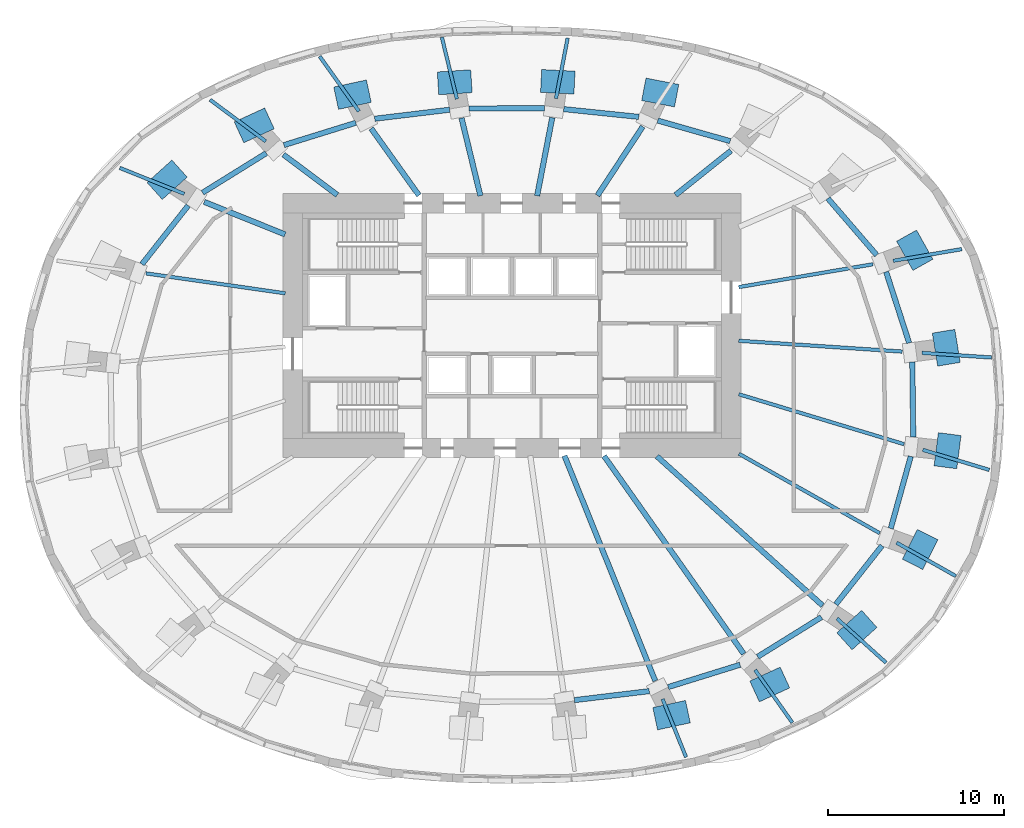
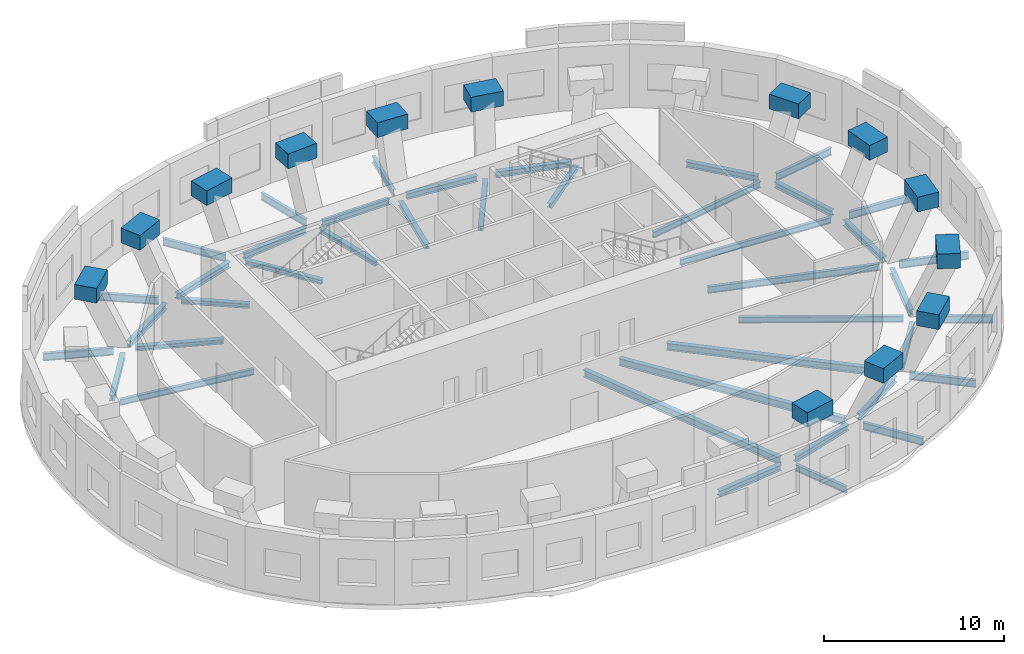
# One storey, part 2 of 9: 55 beams.
"""IFC4 building model written with IfcOpenShell, lengths in metres."""

from ifc_helpers import new_model, si_unit, direction, frame, origin, origin_2d, place, context, subcontext, project, spatial, rectangle, i_section, extrude, material, material_profile, profile_set, type_object, element, save


model = new_model("IFC4")

# Units and contexts
model_context = context("Model", 3, precision=1e-05, world=origin(), true_north=direction((0.0, 1.0)))
body_context = subcontext(model_context, "Body", "Model", "MODEL_VIEW")
ifc_project = project(units=[si_unit("LENGTHUNIT", "METRE"), si_unit("AREAUNIT", "SQUARE_METRE"), si_unit("VOLUMEUNIT", "CUBIC_METRE"), si_unit("PLANEANGLEUNIT", "RADIAN"), si_unit("MASSUNIT", "GRAM", prefix="KILO")], contexts=[model_context])

# Site, building, storey
site_placement = place(None, origin())
site = spatial("IfcSite", under=ifc_project, at=site_placement, CompositionType="ELEMENT")
building_placement = place(site_placement, origin())
building = spatial("IfcBuilding", under=site, at=building_placement, Name="Rubra Terraces Tower", CompositionType="ELEMENT")
storey_placement = place(building_placement, frame((0.0, 0.0, 169.5)))
storey = spatial("IfcBuildingStorey", under=building, at=storey_placement, Name="L41", CompositionType="ELEMENT", Elevation=169.5)

# Beams
ifc_material_1 = material(Name="Steel Q355B", Category="steel")
ifc_material_profile_1 = material_profile(ifc_material_1, i_section(OverallWidth=0.198974609375, OverallDepth=0.446044921875, WebThickness=0.008056640625, FlangeThickness=0.011962890625, at=origin_2d()), Name="HN 446x199x8x12")
ifc_profile_set_1 = profile_set([ifc_material_profile_1], Name="Steel Q355B")
beam_type_1 = type_object("IfcBeamType", Name="CANTILEVER BEAM HN 446x199x8x12", PredefinedType="BEAM", material=ifc_profile_set_1)
beam_1_placement = place(storey_placement, frame((2.498046875, 17.406982421875, -0.52294921875), z_axis=(0.189752926984, 0.98183187293, 0.0), x_axis=(-0.98183187293, 0.189752926984, 0.0)))
element("IfcBeam", 1, at=beam_1_placement, inside=storey, type_object=beam_type_1, Name="beam-L41-cant-06", PredefinedType="BEAM", context=body_context, shape_type="SweptSolid", body=[
    extrude(i_section(OverallWidth=0.198974609375, OverallDepth=0.446044921875, WebThickness=0.008056640625, FlangeThickness=0.011962890625, at=origin_2d()), origin(), (0.0, 0.0, 1.0), 3.49951171875),
])
beam_2_placement = place(storey_placement, frame((8.555908203125, -16.7099609375, -0.52294921875), z_axis=(0.374203347154, -0.927346674647, 0.0), x_axis=(0.927346674647, 0.374203347154, 0.0)))
element("IfcBeam", 2, at=beam_2_placement, inside=storey, type_object=beam_type_1, Name="beam-L41-cant-20", PredefinedType="BEAM", context=body_context, shape_type="SweptSolid", body=[
    extrude(i_section(OverallWidth=0.198974609375, OverallDepth=0.446044921875, WebThickness=0.008056640625, FlangeThickness=0.011962890625, at=origin_2d()), origin(), (0.0, 0.0, 1.0), 3.5595703125),
])
ifc_material_profile_2 = material_profile(ifc_material_1, i_section(OverallWidth=0.198974609375, OverallDepth=0.49609375, WebThickness=0.009033203125, FlangeThickness=0.013916015625, at=origin_2d()), Name="HN 496x199x9x14")
ifc_profile_set_2 = profile_set([ifc_material_profile_2], Name="Steel Q355B")
beam_type_2 = type_object("IfcBeamType", Name="CANTILEVER BEAM HN 496x199x9x14", PredefinedType="BEAM", material=ifc_profile_set_2)
beam_3_placement = place(storey_placement, frame((23.298095703125, 2.9560546875, -0.548095703125), z_axis=(0.997797994302, -0.066326183118, 0.0), x_axis=(0.066326183118, 0.997797994302, 0.0)))
element("IfcBeam", 3, at=beam_3_placement, inside=storey, type_object=beam_type_2, Name="beam-L41-cant-01", PredefinedType="BEAM", context=body_context, shape_type="SweptSolid", body=[
    extrude(i_section(OverallWidth=0.198974609375, OverallDepth=0.49609375, WebThickness=0.009033203125, FlangeThickness=0.013916015625, at=origin_2d()), origin(), (0.0, 0.0, 1.0), 3.94970703125),
])
beam_4_placement = place(storey_placement, frame((21.656982421875, 8.18798828125, -0.548095703125), z_axis=(0.985809855884, 0.167865803673, 0.0), x_axis=(-0.167865803673, 0.985809855884, 0.0)))
element("IfcBeam", 4, at=beam_4_placement, inside=storey, type_object=beam_type_2, Name="beam-L41-cant-02", PredefinedType="BEAM", context=body_context, shape_type="SweptSolid", body=[
    extrude(i_section(OverallWidth=0.198974609375, OverallDepth=0.49609375, WebThickness=0.009033203125, FlangeThickness=0.013916015625, at=origin_2d()), origin(), (0.0, 0.0, 1.0), 3.9501953125),
])
beam_5_placement = place(storey_placement, frame((-3.131103515625, 17.37890625, -0.548095703125), z_axis=(-0.236144325216, 0.971717992871, 0.0), x_axis=(-0.971717992871, -0.236144325216, 0.0)))
element("IfcBeam", 5, at=beam_5_placement, inside=storey, type_object=beam_type_2, Name="beam-L41-cant-07", PredefinedType="BEAM", context=body_context, shape_type="SweptSolid", body=[
    extrude(i_section(OverallWidth=0.198974609375, OverallDepth=0.49609375, WebThickness=0.009033203125, FlangeThickness=0.013916015625, at=origin_2d()), origin(), (0.0, 0.0, 1.0), 3.607177734375),
])
beam_6_placement = place(storey_placement, frame((-8.695068359375, 16.679931640625, -0.548095703125), z_axis=(-0.581153966888, 0.813793626647, 0.0), x_axis=(-0.813793626647, -0.581153966888, 0.0)))
element("IfcBeam", 6, at=beam_6_placement, inside=storey, type_object=beam_type_2, Name="beam-L41-cant-08", PredefinedType="BEAM", context=body_context, shape_type="SweptSolid", body=[
    extrude(i_section(OverallWidth=0.198974609375, OverallDepth=0.49609375, WebThickness=0.009033203125, FlangeThickness=0.013916015625, at=origin_2d()), origin(), (0.0, 0.0, 1.0), 3.8388671875),
])
beam_7_placement = place(storey_placement, frame((-13.989013671875, 14.971923828125, -0.548095703125), z_axis=(-0.80051150228, 0.599317390635, 0.0), x_axis=(-0.599317390635, -0.80051150228, 0.0)))
element("IfcBeam", 7, at=beam_7_placement, inside=storey, type_object=beam_type_2, Name="beam-L41-cant-09", PredefinedType="BEAM", context=body_context, shape_type="SweptSolid", body=[
    extrude(i_section(OverallWidth=0.198974609375, OverallDepth=0.49609375, WebThickness=0.009033203125, FlangeThickness=0.013916015625, at=origin_2d()), origin(), (0.0, 0.0, 1.0), 3.94970703125),
])
beam_8_placement = place(storey_placement, frame((-18.6201171875, 11.991943359375, -0.548095703125), z_axis=(-0.927758876375, 0.373180207551, 0.0), x_axis=(-0.373180207551, -0.927758876375, 0.0)))
element("IfcBeam", 8, at=beam_8_placement, inside=storey, type_object=beam_type_2, Name="beam-L41-cant-10", PredefinedType="BEAM", context=body_context, shape_type="SweptSolid", body=[
    extrude(i_section(OverallWidth=0.198974609375, OverallDepth=0.49609375, WebThickness=0.009033203125, FlangeThickness=0.013916015625, at=origin_2d()), origin(), (0.0, 0.0, 1.0), 3.9501953125),
])
beam_9_placement = place(storey_placement, frame((13.81005859375, -15.052978515625, -0.548095703125), z_axis=(0.576879173007, -0.816829492459, 0.0), x_axis=(0.816829492459, 0.576879173007, 0.0)))
element("IfcBeam", 9, at=beam_9_placement, inside=storey, type_object=beam_type_2, Name="beam-L41-cant-21", PredefinedType="BEAM", context=body_context, shape_type="SweptSolid", body=[
    extrude(i_section(OverallWidth=0.198974609375, OverallDepth=0.49609375, WebThickness=0.009033203125, FlangeThickness=0.013916015625, at=origin_2d()), origin(), (0.0, 0.0, 1.0), 3.66796875),
])
beam_10_placement = place(storey_placement, frame((18.4619140625, -12.133056640625, -0.548095703125), z_axis=(0.742899803416, -0.669402630772, 0.0), x_axis=(0.669402630772, 0.742899803416, 0.0)))
element("IfcBeam", 10, at=beam_10_placement, inside=storey, type_object=beam_type_2, Name="beam-L41-cant-22", PredefinedType="BEAM", context=body_context, shape_type="SweptSolid", body=[
    extrude(i_section(OverallWidth=0.198974609375, OverallDepth=0.49609375, WebThickness=0.009033203125, FlangeThickness=0.013916015625, at=origin_2d()), origin(), (0.0, 0.0, 1.0), 3.7568359375),
])
beam_11_placement = place(storey_placement, frame((21.846923828125, -7.824951171875, -0.548095703125), z_axis=(0.870945175064, -0.491380201099, 0.0), x_axis=(0.491380201099, 0.870945175064, 0.0)))
element("IfcBeam", 11, at=beam_11_placement, inside=storey, type_object=beam_type_2, Name="beam-L41-cant-23", PredefinedType="BEAM", context=body_context, shape_type="SweptSolid", body=[
    extrude(i_section(OverallWidth=0.198974609375, OverallDepth=0.49609375, WebThickness=0.009033203125, FlangeThickness=0.013916015625, at=origin_2d()), origin(), (0.0, 0.0, 1.0), 3.862548828125),
])
beam_12_placement = place(storey_placement, frame((23.3359375, -2.550048828125, -0.548095703125), z_axis=(0.957213418104, -0.289382916224, 0.0), x_axis=(0.289382916224, 0.957213418104, 0.0)))
element("IfcBeam", 12, at=beam_12_placement, inside=storey, type_object=beam_type_2, Name="beam-L41-cant-24", PredefinedType="BEAM", context=body_context, shape_type="SweptSolid", body=[
    extrude(i_section(OverallWidth=0.198974609375, OverallDepth=0.49609375, WebThickness=0.009033203125, FlangeThickness=0.013916015625, at=origin_2d()), origin(), (0.0, 0.0, 1.0), 3.949951171875),
])
ifc_material_profile_3 = material_profile(ifc_material_1, i_section(OverallWidth=0.300048828125, OverallDepth=0.48193359375, WebThickness=0.010986328125, FlangeThickness=0.014892578125, at=origin_2d()), Name="HM 482x300x11x15")
ifc_profile_set_3 = profile_set([ifc_material_profile_3], Name="Steel Q355B")
beam_type_3 = type_object("IfcBeamType", Name="FLOOR BEAM HM 482x300x11x15", PredefinedType="BEAM", material=ifc_profile_set_3)
beam_13_placement = place(storey_placement, frame((8.137939453125, -15.674072265625, -0.541015625), z_axis=(-0.374072995757, 0.927399263449, 0.0), x_axis=(-0.927399263449, -0.374072995757, 0.0)))
element("IfcBeam", 13, at=beam_13_placement, inside=storey, type_object=beam_type_3, Name="beam-L41-floor-20", PredefinedType="BEAM", context=body_context, shape_type="SweptSolid", body=[
    extrude(i_section(OverallWidth=0.300048828125, OverallDepth=0.48193359375, WebThickness=0.010986328125, FlangeThickness=0.014892578125, at=origin_2d()), origin(), (0.0, 0.0, 1.0), 13.7861328125),
])
beam_14_placement = place(storey_placement, frame((13.1640625, -14.138916015625, -0.541015625), z_axis=(-0.576885242087, 0.816825206187, 0.0), x_axis=(-0.816825206187, -0.576885242087, 0.0)))
element("IfcBeam", 14, at=beam_14_placement, inside=storey, type_object=beam_type_3, Name="beam-L41-floor-21", PredefinedType="BEAM", context=body_context, shape_type="SweptSolid", body=[
    extrude(i_section(OverallWidth=0.300048828125, OverallDepth=0.48193359375, WebThickness=0.010986328125, FlangeThickness=0.014892578125, at=origin_2d()), origin(), (0.0, 0.0, 1.0), 13.756591796875),
])
beam_15_placement = place(storey_placement, frame((17.639892578125, -11.39306640625, -0.541015625), z_axis=(-0.742946892742, 0.669350367569, 0.0), x_axis=(-0.669350367569, -0.742946892742, 0.0)))
element("IfcBeam", 15, at=beam_15_placement, inside=storey, type_object=beam_type_3, Name="beam-L41-floor-22", PredefinedType="BEAM", context=body_context, shape_type="SweptSolid", body=[
    extrude(i_section(OverallWidth=0.300048828125, OverallDepth=0.48193359375, WebThickness=0.010986328125, FlangeThickness=0.014892578125, at=origin_2d()), origin(), (0.0, 0.0, 1.0), 12.65869140625),
])
ifc_material_profile_4 = material_profile(ifc_material_1, i_section(OverallWidth=0.199951171875, OverallDepth=0.39990234375, WebThickness=0.008056640625, FlangeThickness=0.012939453125, at=origin_2d()), Name="HN 400x200x8x13")
ifc_profile_set_4 = profile_set([ifc_material_profile_4], Name="Steel Q355B")
beam_type_4 = type_object("IfcBeamType", Name="FLOOR BEAM HN 400x200x8x13", PredefinedType="BEAM", material=ifc_profile_set_4)
beam_16_placement = place(storey_placement, frame((22.169921875, 3.030029296875, -0.5), z_axis=(-0.997809110543, 0.0661587403, 0.0), x_axis=(-0.0661587403, -0.997809110543, 0.0)))
element("IfcBeam", 16, at=beam_16_placement, inside=storey, type_object=beam_type_4, Name="beam-L41-floor-01", PredefinedType="BEAM", context=body_context, shape_type="SweptSolid", body=[
    extrude(i_section(OverallWidth=0.199951171875, OverallDepth=0.39990234375, WebThickness=0.008056640625, FlangeThickness=0.012939453125, at=origin_2d()), origin(), (0.0, 0.0, 1.0), 9.310546875),
])
beam_17_placement = place(storey_placement, frame((20.5048828125, 7.991943359375, -0.5), z_axis=(-0.985813612303, -0.167843742209, 0.0), x_axis=(0.167843742209, -0.985813612303, 0.0)))
element("IfcBeam", 17, at=beam_17_placement, inside=storey, type_object=beam_type_4, Name="beam-L41-floor-02", PredefinedType="BEAM", context=body_context, shape_type="SweptSolid", body=[
    extrude(i_section(OverallWidth=0.199951171875, OverallDepth=0.39990234375, WebThickness=0.008056640625, FlangeThickness=0.012939453125, at=origin_2d()), origin(), (0.0, 0.0, 1.0), 7.732421875),
])
beam_18_placement = place(storey_placement, frame((-20.7919921875, 7.471923828125, -0.5), z_axis=(0.989936658262, -0.141511174924, 0.0), x_axis=(0.141511174924, 0.989936658262, 0.0)))
element("IfcBeam", 18, at=beam_18_placement, inside=storey, type_object=beam_type_4, Name="beam-L41-floor-11", PredefinedType="BEAM", context=body_context, shape_type="SweptSolid", body=[
    extrude(i_section(OverallWidth=0.199951171875, OverallDepth=0.39990234375, WebThickness=0.008056640625, FlangeThickness=0.012939453125, at=origin_2d()), origin(), (0.0, 0.0, 1.0), 7.9912109375),
])
beam_19_placement = place(storey_placement, frame((20.886962890625, -7.282958984375, -0.5), z_axis=(-0.870988685804, 0.491303072656, 0.0), x_axis=(-0.491303072656, -0.870988685804, 0.0)))
element("IfcBeam", 19, at=beam_19_placement, inside=storey, type_object=beam_type_4, Name="beam-L41-floor-23", PredefinedType="BEAM", context=body_context, shape_type="SweptSolid", body=[
    extrude(i_section(OverallWidth=0.199951171875, OverallDepth=0.39990234375, WebThickness=0.008056640625, FlangeThickness=0.012939453125, at=origin_2d()), origin(), (0.0, 0.0, 1.0), 9.17578125),
])
ifc_material_profile_5 = material_profile(ifc_material_1, i_section(OverallWidth=0.198974609375, OverallDepth=0.446044921875, WebThickness=0.008056640625, FlangeThickness=0.011962890625, at=origin_2d()), Name="HN 446x199x8x12")
ifc_profile_set_5 = profile_set([ifc_material_profile_5], Name="Steel Q355B")
beam_type_5 = type_object("IfcBeamType", Name="FLOOR BEAM HN 446x199x8x12", PredefinedType="BEAM", material=ifc_profile_set_5)
beam_20_placement = place(storey_placement, frame((22.26806640625, -2.22802734375, -0.52294921875), z_axis=(-0.957261634756, 0.289223378419, 0.0), x_axis=(-0.289223378419, -0.957261634756, 0.0)))
element("IfcBeam", 20, at=beam_20_placement, inside=storey, type_object=beam_type_5, Name="beam-L41-floor-24", PredefinedType="BEAM", context=body_context, shape_type="SweptSolid", body=[
    extrude(i_section(OverallWidth=0.198974609375, OverallDepth=0.446044921875, WebThickness=0.008056640625, FlangeThickness=0.011962890625, at=origin_2d()), origin(), (0.0, 0.0, 1.0), 9.802001953125),
])
ifc_material_profile_6 = material_profile(ifc_material_1, i_section(OverallWidth=0.304931640625, OverallDepth=0.300048828125, WebThickness=0.014892578125, FlangeThickness=0.014892578125, at=origin_2d()), Name="HW 300x305x15x15")
ifc_profile_set_6 = profile_set([ifc_material_profile_6], Name="Steel Q355B")
beam_type_6 = type_object("IfcBeamType", Name="FLOOR BEAM HW 300x305x15x15", PredefinedType="BEAM", material=ifc_profile_set_6)
beam_21_placement = place(storey_placement, frame((12.43798828125, 14.44091796875, -0.449951171875), z_axis=(-0.781170160898, -0.624318171867, 0.0), x_axis=(0.624318171867, -0.781170160898, 0.0)))
element("IfcBeam", 21, at=beam_21_placement, inside=storey, type_object=beam_type_6, Name="beam-L41-floor-04", PredefinedType="BEAM", context=body_context, shape_type="SweptSolid", body=[
    extrude(i_section(OverallWidth=0.304931640625, OverallDepth=0.300048828125, WebThickness=0.014892578125, FlangeThickness=0.014892578125, at=origin_2d()), origin(), (0.0, 0.0, 1.0), 4.02978515625),
])
beam_22_placement = place(storey_placement, frame((7.425048828125, 15.81005859375, -0.449951171875), z_axis=(-0.548820601732, -0.835940157616, 0.0), x_axis=(0.835940157616, -0.548820601732, 0.0)))
element("IfcBeam", 22, at=beam_22_placement, inside=storey, type_object=beam_type_6, Name="beam-L41-floor-05", PredefinedType="BEAM", context=body_context, shape_type="SweptSolid", body=[
    extrude(i_section(OverallWidth=0.304931640625, OverallDepth=0.300048828125, WebThickness=0.014892578125, FlangeThickness=0.014892578125, at=origin_2d()), origin(), (0.0, 0.0, 1.0), 4.677490234375),
])
beam_23_placement = place(storey_placement, frame((2.285888671875, 16.31689453125, -0.449951171875), z_axis=(-0.189927794489, -0.981798061151, 0.0), x_axis=(0.981798061151, -0.189927794489, 0.0)))
element("IfcBeam", 23, at=beam_23_placement, inside=storey, type_object=beam_type_6, Name="beam-L41-floor-06", PredefinedType="BEAM", context=body_context, shape_type="SweptSolid", body=[
    extrude(i_section(OverallWidth=0.304931640625, OverallDepth=0.300048828125, WebThickness=0.014892578125, FlangeThickness=0.014892578125, at=origin_2d()), origin(), (0.0, 0.0, 1.0), 4.51708984375),
])
beam_24_placement = place(storey_placement, frame((-2.866943359375, 16.29296875, -0.449951171875), z_axis=(0.236214306521, -0.971700983531, 0.0), x_axis=(0.971700983531, 0.236214306521, 0.0)))
element("IfcBeam", 24, at=beam_24_placement, inside=storey, type_object=beam_type_6, Name="beam-L41-floor-07", PredefinedType="BEAM", context=body_context, shape_type="SweptSolid", body=[
    extrude(i_section(OverallWidth=0.304931640625, OverallDepth=0.300048828125, WebThickness=0.014892578125, FlangeThickness=0.014892578125, at=origin_2d()), origin(), (0.0, 0.0, 1.0), 4.538330078125),
])
beam_25_placement = place(storey_placement, frame((-7.9990234375, 15.7041015625, -0.449951171875), z_axis=(0.581010755177, -0.813895879317, 0.0), x_axis=(0.813895879317, 0.581010755177, 0.0)))
element("IfcBeam", 25, at=beam_25_placement, inside=storey, type_object=beam_type_6, Name="beam-L41-floor-08", PredefinedType="BEAM", context=body_context, shape_type="SweptSolid", body=[
    extrude(i_section(OverallWidth=0.304931640625, OverallDepth=0.300048828125, WebThickness=0.014892578125, FlangeThickness=0.014892578125, at=origin_2d()), origin(), (0.0, 0.0, 1.0), 4.67138671875),
])
beam_26_placement = place(storey_placement, frame((-12.985107421875, 14.219970703125, -0.449951171875), z_axis=(0.800566460925, -0.599243975057, 0.0), x_axis=(0.599243975057, 0.800566460925, 0.0)))
element("IfcBeam", 26, at=beam_26_placement, inside=storey, type_object=beam_type_6, Name="beam-L41-floor-09", PredefinedType="BEAM", context=body_context, shape_type="SweptSolid", body=[
    extrude(i_section(OverallWidth=0.304931640625, OverallDepth=0.300048828125, WebThickness=0.014892578125, FlangeThickness=0.014892578125, at=origin_2d()), origin(), (0.0, 0.0, 1.0), 3.82470703125),
])
beam_27_placement = place(storey_placement, frame((-17.48193359375, 11.533935546875, -0.449951171875), z_axis=(0.927730023822, -0.373251929533, 0.0), x_axis=(0.373251929533, 0.927730023822, 0.0)))
element("IfcBeam", 27, at=beam_27_placement, inside=storey, type_object=beam_type_6, Name="beam-L41-floor-10", PredefinedType="BEAM", context=body_context, shape_type="SweptSolid", body=[
    extrude(i_section(OverallWidth=0.304931640625, OverallDepth=0.300048828125, WebThickness=0.014892578125, FlangeThickness=0.014892578125, at=origin_2d()), origin(), (0.0, 0.0, 1.0), 4.950927734375),
])
ifc_material_profile_7 = material_profile(ifc_material_1, i_section(OverallWidth=0.300048828125, OverallDepth=0.389892578125, WebThickness=0.010009765625, FlangeThickness=0.01611328125, at=origin_2d()), Name="HM 390x300x10x16")
ifc_profile_set_7 = profile_set([ifc_material_profile_7], Name="Steel Q355B")
beam_type_7 = type_object("IfcBeamType", Name="SPANDREL BEAM HM 390x300x10x16", PredefinedType="SPANDREL", material=ifc_profile_set_7)
beam_28_placement = place(storey_placement, frame((22.56201171875, 3.52197265625, -0.4951171875), z_axis=(-0.308462461648, 0.951236516201, 0.0), x_axis=(-0.951236516201, -0.308462461648, 0.0)))
element("IfcBeam", 28, at=beam_28_placement, inside=storey, type_object=beam_type_7, Name="beam-L41-spandrel-01", PredefinedType="SPANDREL", context=body_context, shape_type="SweptSolid", body=[
    extrude(i_section(OverallWidth=0.300048828125, OverallDepth=0.389892578125, WebThickness=0.010009765625, FlangeThickness=0.01611328125, at=origin_2d()), origin(), (0.0, 0.0, 1.0), 4.24072265625),
])
beam_29_placement = place(storey_placement, frame((20.715087890625, 8.514892578125, -0.4951171875), z_axis=(-0.65255344008, 0.757742705567, 0.0), x_axis=(-0.757742705567, -0.65255344008, 0.0)))
element("IfcBeam", 29, at=beam_29_placement, inside=storey, type_object=beam_type_7, Name="beam-L41-spandrel-02", PredefinedType="SPANDREL", context=body_context, shape_type="SweptSolid", body=[
    extrude(i_section(OverallWidth=0.300048828125, OverallDepth=0.389892578125, WebThickness=0.010009765625, FlangeThickness=0.01611328125, at=origin_2d()), origin(), (0.0, 0.0, 1.0), 4.240478515625),
])
beam_30_placement = place(storey_placement, frame((12.39404296875, 14.98388671875, -0.4951171875), z_axis=(-0.961693978406, 0.274125321518, 0.0), x_axis=(-0.274125321518, -0.961693978406, 0.0)))
element("IfcBeam", 30, at=beam_30_placement, inside=storey, type_object=beam_type_7, Name="beam-L41-spandrel-04", PredefinedType="SPANDREL", context=body_context, shape_type="SweptSolid", body=[
    extrude(i_section(OverallWidth=0.300048828125, OverallDepth=0.389892578125, WebThickness=0.010009765625, FlangeThickness=0.01611328125, at=origin_2d()), origin(), (0.0, 0.0, 1.0), 4.27587890625),
])
beam_31_placement = place(storey_placement, frame((7.201904296875, 16.364013671875, -0.4951171875), z_axis=(-0.994691190497, 0.102904983103, 0.0), x_axis=(-0.102904983103, -0.994691190497, 0.0)))
element("IfcBeam", 31, at=beam_31_placement, inside=storey, type_object=beam_type_7, Name="beam-L41-spandrel-05", PredefinedType="SPANDREL", context=body_context, shape_type="SweptSolid", body=[
    extrude(i_section(OverallWidth=0.300048828125, OverallDepth=0.389892578125, WebThickness=0.010009765625, FlangeThickness=0.01611328125, at=origin_2d()), origin(), (0.0, 0.0, 1.0), 4.28466796875),
])
beam_32_placement = place(storey_placement, frame((1.841064453125, 16.85888671875, -0.4951171875), z_axis=(-0.999989371096, -0.004610606731, 0.0), x_axis=(0.004610606731, -0.999989371096, 0.0)))
element("IfcBeam", 32, at=beam_32_placement, inside=storey, type_object=beam_type_7, Name="beam-L41-spandrel-06", PredefinedType="SPANDREL", context=body_context, shape_type="SweptSolid", body=[
    extrude(i_section(OverallWidth=0.300048828125, OverallDepth=0.389892578125, WebThickness=0.010009765625, FlangeThickness=0.01611328125, at=origin_2d()), origin(), (0.0, 0.0, 1.0), 4.2890625),
])
beam_33_placement = place(storey_placement, frame((-3.5458984375, 16.77001953125, -0.4951171875), z_axis=(-0.992833084949, -0.119509269223, 0.0), x_axis=(0.119509269223, -0.992833084949, 0.0)))
element("IfcBeam", 33, at=beam_33_placement, inside=storey, type_object=beam_type_7, Name="beam-L41-spandrel-07", PredefinedType="SPANDREL", context=body_context, shape_type="SweptSolid", body=[
    extrude(i_section(OverallWidth=0.300048828125, OverallDepth=0.389892578125, WebThickness=0.010009765625, FlangeThickness=0.01611328125, at=origin_2d()), origin(), (0.0, 0.0, 1.0), 4.283935546875),
])
beam_34_placement = place(storey_placement, frame((-8.8740234375, 16.028076171875, -0.4951171875), z_axis=(-0.955002801089, -0.296596780008, 0.0), x_axis=(0.296596780008, -0.955002801089, 0.0)))
element("IfcBeam", 34, at=beam_34_placement, inside=storey, type_object=beam_type_7, Name="beam-L41-spandrel-08", PredefinedType="SPANDREL", context=body_context, shape_type="SweptSolid", body=[
    extrude(i_section(OverallWidth=0.300048828125, OverallDepth=0.389892578125, WebThickness=0.010009765625, FlangeThickness=0.01611328125, at=origin_2d()), origin(), (0.0, 0.0, 1.0), 4.275390625),
])
beam_35_placement = place(storey_placement, frame((-13.9580078125, 14.303955078125, -0.4951171875), z_axis=(-0.849549830498, -0.527508374816, 0.0), x_axis=(0.527508374816, -0.849549830498, 0.0)))
element("IfcBeam", 35, at=beam_35_placement, inside=storey, type_object=beam_type_7, Name="beam-L41-spandrel-09", PredefinedType="SPANDREL", context=body_context, shape_type="SweptSolid", body=[
    extrude(i_section(OverallWidth=0.300048828125, OverallDepth=0.389892578125, WebThickness=0.010009765625, FlangeThickness=0.01611328125, at=origin_2d()), origin(), (0.0, 0.0, 1.0), 4.259765625),
])
beam_36_placement = place(storey_placement, frame((-18.39697265625, 11.323974609375, -0.4951171875), z_axis=(-0.618917461688, -0.785456030353, 0.0), x_axis=(0.785456030353, -0.618917461688, 0.0)))
element("IfcBeam", 36, at=beam_36_placement, inside=storey, type_object=beam_type_7, Name="beam-L41-spandrel-10", PredefinedType="SPANDREL", context=body_context, shape_type="SweptSolid", body=[
    extrude(i_section(OverallWidth=0.300048828125, OverallDepth=0.389892578125, WebThickness=0.010009765625, FlangeThickness=0.01611328125, at=origin_2d()), origin(), (0.0, 0.0, 1.0), 4.238037109375),
])
beam_37_placement = place(storey_placement, frame((3.5458984375, -16.77001953125, -0.4951171875), z_axis=(0.992833084949, 0.119509269223, 0.0), x_axis=(-0.119509269223, 0.992833084949, 0.0)))
element("IfcBeam", 37, at=beam_37_placement, inside=storey, type_object=beam_type_7, Name="beam-L41-spandrel-19", PredefinedType="SPANDREL", context=body_context, shape_type="SweptSolid", body=[
    extrude(i_section(OverallWidth=0.300048828125, OverallDepth=0.389892578125, WebThickness=0.010009765625, FlangeThickness=0.01611328125, at=origin_2d()), origin(), (0.0, 0.0, 1.0), 4.283935546875),
])
beam_38_placement = place(storey_placement, frame((8.8740234375, -16.028076171875, -0.4951171875), z_axis=(0.955002801089, 0.296596780008, 0.0), x_axis=(-0.296596780008, 0.955002801089, 0.0)))
element("IfcBeam", 38, at=beam_38_placement, inside=storey, type_object=beam_type_7, Name="beam-L41-spandrel-20", PredefinedType="SPANDREL", context=body_context, shape_type="SweptSolid", body=[
    extrude(i_section(OverallWidth=0.300048828125, OverallDepth=0.389892578125, WebThickness=0.010009765625, FlangeThickness=0.01611328125, at=origin_2d()), origin(), (0.0, 0.0, 1.0), 4.275390625),
])
beam_39_placement = place(storey_placement, frame((13.9580078125, -14.303955078125, -0.4951171875), z_axis=(0.849549830498, 0.527508374816, 0.0), x_axis=(-0.527508374816, 0.849549830498, 0.0)))
element("IfcBeam", 39, at=beam_39_placement, inside=storey, type_object=beam_type_7, Name="beam-L41-spandrel-21", PredefinedType="SPANDREL", context=body_context, shape_type="SweptSolid", body=[
    extrude(i_section(OverallWidth=0.300048828125, OverallDepth=0.389892578125, WebThickness=0.010009765625, FlangeThickness=0.01611328125, at=origin_2d()), origin(), (0.0, 0.0, 1.0), 4.259765625),
])
beam_40_placement = place(storey_placement, frame((18.39697265625, -11.323974609375, -0.4951171875), z_axis=(0.618917461688, 0.785456030353, 0.0), x_axis=(-0.785456030353, 0.618917461688, 0.0)))
element("IfcBeam", 40, at=beam_40_placement, inside=storey, type_object=beam_type_7, Name="beam-L41-spandrel-22", PredefinedType="SPANDREL", context=body_context, shape_type="SweptSolid", body=[
    extrude(i_section(OverallWidth=0.300048828125, OverallDepth=0.389892578125, WebThickness=0.010009765625, FlangeThickness=0.01611328125, at=origin_2d()), origin(), (0.0, 0.0, 1.0), 4.238037109375),
])
beam_41_placement = place(storey_placement, frame((21.51708984375, -7.013916015625, -0.4951171875), z_axis=(0.267626064819, 0.96352285361, 0.0), x_axis=(-0.96352285361, 0.267626064819, 0.0)))
element("IfcBeam", 41, at=beam_41_placement, inside=storey, type_object=beam_type_7, Name="beam-L41-spandrel-23", PredefinedType="SPANDREL", context=body_context, shape_type="SweptSolid", body=[
    extrude(i_section(OverallWidth=0.300048828125, OverallDepth=0.389892578125, WebThickness=0.010009765625, FlangeThickness=0.01611328125, at=origin_2d()), origin(), (0.0, 0.0, 1.0), 4.24462890625),
])
beam_42_placement = place(storey_placement, frame((22.794921875, -1.8330078125, -0.4951171875), z_axis=(-0.012634783266, 0.99992017794, 0.0), x_axis=(-0.99992017794, -0.012634783266, 0.0)))
element("IfcBeam", 42, at=beam_42_placement, inside=storey, type_object=beam_type_7, Name="beam-L41-spandrel-24", PredefinedType="SPANDREL", context=body_context, shape_type="SweptSolid", body=[
    extrude(i_section(OverallWidth=0.300048828125, OverallDepth=0.389892578125, WebThickness=0.010009765625, FlangeThickness=0.01611328125, at=origin_2d()), origin(), (0.0, 0.0, 1.0), 4.270263671875),
])
ifc_material_2 = material(Name="Concrete C50", Category="concrete")
ifc_material_profile_8 = material_profile(ifc_material_2, rectangle(XDim=1.300048828125, YDim=1.0, at=origin_2d()), Name="RC 1300x1000")
ifc_profile_set_8 = profile_set([ifc_material_profile_8], Name="Concrete C50")
beam_type_8 = type_object("IfcBeamType", Name="TRANSFER NODE RC 1300x1000 C50", PredefinedType="BEAM", material=ifc_profile_set_8)
beam_43_placement = place(storey_placement, frame((24.822021484375, 2.31005859375, 3.800048828125), z_axis=(-0.160940402195, 0.986964126471, 0.0), x_axis=(-0.986964126471, -0.160940402195, 0.0)))
element("IfcBeam", 43, at=beam_43_placement, inside=storey, type_object=beam_type_8, Name="node-L41-hi-01", PredefinedType="BEAM", context=body_context, shape_type="SweptSolid", body=[
    extrude(rectangle(XDim=1.300048828125, YDim=1.0, at=origin_2d()), origin(), (0.0, 0.0, 1.0), 1.900634765625),
])
beam_44_placement = place(storey_placement, frame((23.343017578125, 7.9580078125, 3.800048828125), z_axis=(-0.488411631114, 0.872613361457, 0.0), x_axis=(-0.872613361457, -0.488411631114, 0.0)))
element("IfcBeam", 44, at=beam_44_placement, inside=storey, type_object=beam_type_8, Name="node-L41-hi-02", PredefinedType="BEAM", context=body_context, shape_type="SweptSolid", body=[
    extrude(rectangle(XDim=1.300048828125, YDim=1.0, at=origin_2d()), origin(), (0.0, 0.0, 1.0), 1.89990234375),
])
beam_45_placement = place(storey_placement, frame((9.35498046875, 17.568115234375, 3.800048828125), z_axis=(-0.981714861556, 0.190357376008, 0.0), x_axis=(-0.190357376008, -0.981714861556, 0.0)))
element("IfcBeam", 45, at=beam_45_placement, inside=storey, type_object=beam_type_8, Name="node-L41-hi-05", PredefinedType="BEAM", context=body_context, shape_type="SweptSolid", body=[
    extrude(rectangle(XDim=1.300048828125, YDim=1.0, at=origin_2d()), origin(), (0.0, 0.0, 1.0), 1.900634765625),
])
beam_46_placement = place(storey_placement, frame((3.551025390625, 18.31103515625, 3.800048828125), z_axis=(-0.998775935187, 0.049463433888, 0.0), x_axis=(-0.049463433888, -0.998775935187, 0.0)))
element("IfcBeam", 46, at=beam_46_placement, inside=storey, type_object=beam_type_8, Name="node-L41-hi-06", PredefinedType="BEAM", context=body_context, shape_type="SweptSolid", body=[
    extrude(rectangle(XDim=1.300048828125, YDim=1.0, at=origin_2d()), origin(), (0.0, 0.0, 1.0), 1.900390625),
])
beam_47_placement = place(storey_placement, frame((-2.305908203125, 18.389892578125, 3.800048828125), z_axis=(-0.998007315296, -0.063098324982, 0.0), x_axis=(0.063098324982, -0.998007315296, 0.0)))
element("IfcBeam", 47, at=beam_47_placement, inside=storey, type_object=beam_type_8, Name="node-L41-hi-07", PredefinedType="BEAM", context=body_context, shape_type="SweptSolid", body=[
    extrude(rectangle(XDim=1.300048828125, YDim=1.0, at=origin_2d()), origin(), (0.0, 0.0, 1.0), 1.89990234375),
])
beam_48_placement = place(storey_placement, frame((-8.134033203125, 17.824951171875, 3.800048828125), z_axis=(-0.977610248736, -0.210423861686, 0.0), x_axis=(0.210423861686, -0.977610248736, 0.0)))
element("IfcBeam", 48, at=beam_48_placement, inside=storey, type_object=beam_type_8, Name="node-L41-hi-08", PredefinedType="BEAM", context=body_context, shape_type="SweptSolid", body=[
    extrude(rectangle(XDim=1.300048828125, YDim=1.0, at=origin_2d()), origin(), (0.0, 0.0, 1.0), 1.900390625),
])
beam_49_placement = place(storey_placement, frame((-13.780029296875, 16.277099609375, 3.800048828125), z_axis=(-0.908890261279, -0.417035361752, 0.0), x_axis=(0.417035361752, -0.908890261279, 0.0)))
element("IfcBeam", 49, at=beam_49_placement, inside=storey, type_object=beam_type_8, Name="node-L41-hi-09", PredefinedType="BEAM", context=body_context, shape_type="SweptSolid", body=[
    extrude(rectangle(XDim=1.300048828125, YDim=1.0, at=origin_2d()), origin(), (0.0, 0.0, 1.0), 1.899169921875),
])
beam_50_placement = place(storey_placement, frame((-18.885986328125, 13.425048828125, 3.800048828125), z_axis=(-0.743983549947, -0.668197932808, 0.0), x_axis=(0.668197932808, -0.743983549947, 0.0)))
element("IfcBeam", 50, at=beam_50_placement, inside=storey, type_object=beam_type_8, Name="node-L41-hi-10", PredefinedType="BEAM", context=body_context, shape_type="SweptSolid", body=[
    extrude(rectangle(XDim=1.300048828125, YDim=1.0, at=origin_2d()), origin(), (0.0, 0.0, 1.0), 1.900634765625),
])
beam_51_placement = place(storey_placement, frame((8.134033203125, -17.824951171875, 3.800048828125), z_axis=(0.977610248736, 0.210423861686, 0.0), x_axis=(-0.210423861686, 0.977610248736, 0.0)))
element("IfcBeam", 51, at=beam_51_placement, inside=storey, type_object=beam_type_8, Name="node-L41-hi-20", PredefinedType="BEAM", context=body_context, shape_type="SweptSolid", body=[
    extrude(rectangle(XDim=1.300048828125, YDim=1.0, at=origin_2d()), origin(), (0.0, 0.0, 1.0), 1.900390625),
])
beam_52_placement = place(storey_placement, frame((13.780029296875, -16.277099609375, 3.800048828125), z_axis=(0.908890261279, 0.417035361752, 0.0), x_axis=(-0.417035361752, 0.908890261279, 0.0)))
element("IfcBeam", 52, at=beam_52_placement, inside=storey, type_object=beam_type_8, Name="node-L41-hi-21", PredefinedType="BEAM", context=body_context, shape_type="SweptSolid", body=[
    extrude(rectangle(XDim=1.300048828125, YDim=1.0, at=origin_2d()), origin(), (0.0, 0.0, 1.0), 1.899169921875),
])
beam_53_placement = place(storey_placement, frame((18.885986328125, -13.425048828125, 3.800048828125), z_axis=(0.743983549947, 0.668197932808, 0.0), x_axis=(-0.668197932808, 0.743983549947, 0.0)))
element("IfcBeam", 53, at=beam_53_placement, inside=storey, type_object=beam_type_8, Name="node-L41-hi-22", PredefinedType="BEAM", context=body_context, shape_type="SweptSolid", body=[
    extrude(rectangle(XDim=1.300048828125, YDim=1.0, at=origin_2d()), origin(), (0.0, 0.0, 1.0), 1.900634765625),
])
beam_54_placement = place(storey_placement, frame((22.757080078125, -9.05810546875, 3.800048828125), z_axis=(0.450551702799, 0.892750336379, 0.0), x_axis=(-0.892750336379, 0.450551702799, 0.0)))
element("IfcBeam", 54, at=beam_54_placement, inside=storey, type_object=beam_type_8, Name="node-L41-hi-23", PredefinedType="BEAM", context=body_context, shape_type="SweptSolid", body=[
    extrude(rectangle(XDim=1.300048828125, YDim=1.0, at=origin_2d()), origin(), (0.0, 0.0, 1.0), 1.89990234375),
])
beam_55_placement = place(storey_placement, frame((24.62109375, -3.541015625, 3.800048828125), z_axis=(0.128383169045, 0.991724640163, 0.0), x_axis=(-0.991724640163, 0.128383169045, 0.0)))
element("IfcBeam", 55, at=beam_55_placement, inside=storey, type_object=beam_type_8, Name="node-L41-hi-24", PredefinedType="BEAM", context=body_context, shape_type="SweptSolid", body=[
    extrude(rectangle(XDim=1.300048828125, YDim=1.0, at=origin_2d()), origin(), (0.0, 0.0, 1.0), 1.899658203125),
])

save(model, "model.ifc")
